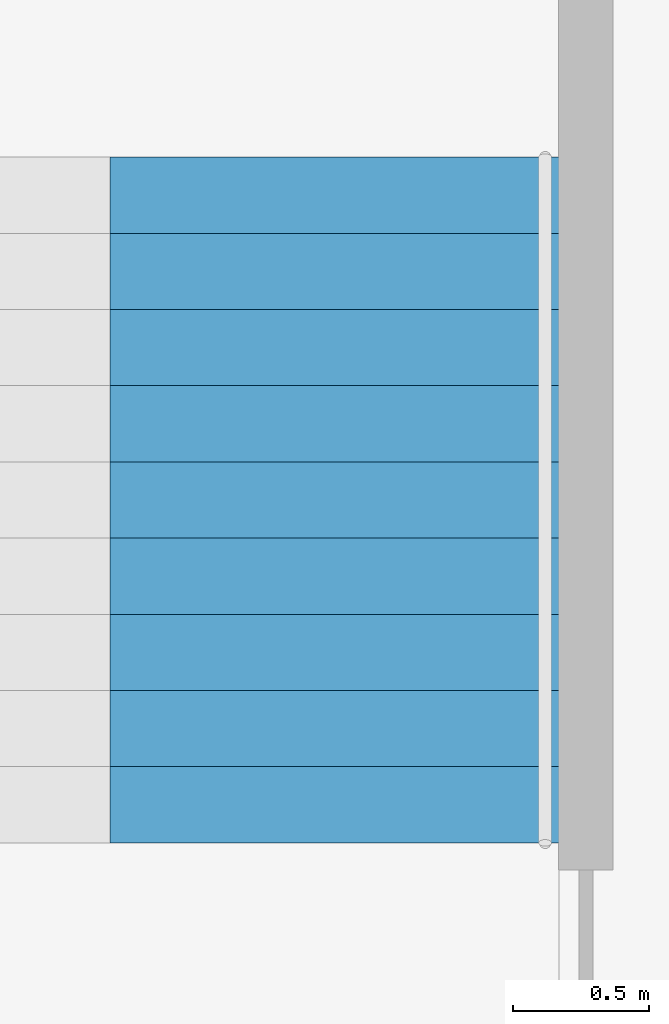
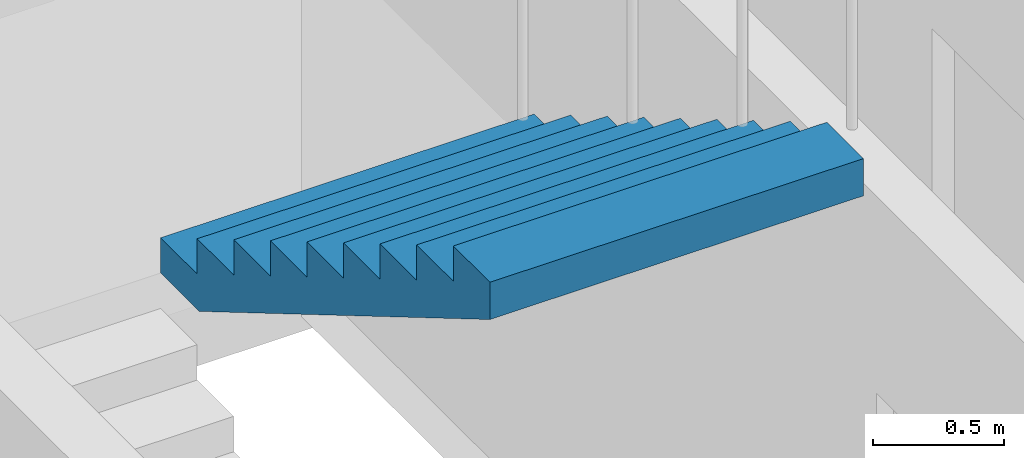
# One storey, part 9 of 12: 1 stair flight, 1 element without a shape of its own.
"""IFC4 building model written with IfcOpenShell, lengths in metres."""

import ifcopenshell
import ifcopenshell.guid

model = None  # the IFC model being written
_history = None  # IfcOwnerHistory: only IFC2X3 demands one
_inside = {}  # id of a spatial element -> (the spatial element, [elements in it])
_under = {}  # id of a project, library or spatial element -> (it, [spatial elements below it])
_declared = {}  # id of a project -> (the project, [libraries it declares])
_typed = {}  # id of a type object -> (the type object, [elements of that type])
_made_of = {}  # id of a material, layer set ... -> (it, [elements and type objects made of it])


def new_model(schema):
    """Start an empty IFC model of exactly this schema.

    Asked for "IFC4X3", IfcOpenShell would pick the latest addendum, in which some entities
    have other attributes; the version numbers below select the first issue.
    IFC2X3 requires an IfcOwnerHistory on every rooted entity: one is made here for all.
    """
    global model, _history
    if schema == "IFC4X3":
        model = ifcopenshell.file(schema_version=(4, 3, 0, 0))
    else:
        model = ifcopenshell.file(schema=schema)
    _inside.clear()
    _under.clear()
    _declared.clear()
    _typed.clear()
    _made_of.clear()
    _history = None
    if model.schema == "IFC2X3":
        org = make("IfcOrganization", Name="unknown")
        user = make(
            "IfcPersonAndOrganization",
            ThePerson=make("IfcPerson", FamilyName="unknown"),
            TheOrganization=org,
        )
        app = make(
            "IfcApplication",
            ApplicationDeveloper=org,
            Version="unknown",
            ApplicationFullName="unknown",
            ApplicationIdentifier="unknown",
        )
        _history = make(
            "IfcOwnerHistory",
            OwningUser=user,
            OwningApplication=app,
            ChangeAction="ADDED",
            CreationDate=0,
        )
    return model


def make(cls, **values):
    """One entity of the class cls with the attributes given. An attribute that is None is left unset."""
    return model.create_entity(
        cls, **{name: value for name, value in values.items() if value is not None}
    )


def rooted(cls, **values):
    """An entity with a GlobalId (a new one), such as an element, a storey or a relation."""
    return make(cls, GlobalId=ifcopenshell.guid.new(), OwnerHistory=_history, **values)


def si_unit(unit_type, name, prefix=None):
    """IfcSIUnit, for example si_unit("LENGTHUNIT", "METRE", prefix="MILLI")."""
    return make("IfcSIUnit", UnitType=unit_type, Prefix=prefix, Name=name)


def assignment(units):
    """IfcUnitAssignment: the units of a project."""
    return None if units is None else make("IfcUnitAssignment", Units=units)


def point(xyz):
    """IfcCartesianPoint."""
    return None if xyz is None else make("IfcCartesianPoint", Coordinates=xyz)


def direction(xyz):
    """IfcDirection."""
    return None if xyz is None else make("IfcDirection", DirectionRatios=xyz)


def frame(location, z_axis=None, x_axis=None):
    """IfcAxis2Placement3D, a coordinate frame: its origin and axes. An axis left out is left unset."""
    return make(
        "IfcAxis2Placement3D",
        Location=point(location),
        Axis=direction(z_axis),
        RefDirection=direction(x_axis),
    )


def origin():
    """The frame at (0, 0, 0) with its axes left unset."""
    return frame((0.0, 0.0, 0.0))


def place(relative_to, where):
    """IfcLocalPlacement: puts the frame where relative to a parent placement (None: the world)."""
    return make(
        "IfcLocalPlacement", PlacementRelTo=relative_to, RelativePlacement=where
    )


def context(
    kind, dimensions, precision=None, world=None, true_north=None, identifier=None
):
    """IfcGeometricRepresentationContext, for example the 3D "Model" context."""
    return make(
        "IfcGeometricRepresentationContext",
        ContextIdentifier=identifier,
        ContextType=kind,
        CoordinateSpaceDimension=dimensions,
        Precision=precision,
        WorldCoordinateSystem=world,
        TrueNorth=true_north,
    )


def subcontext(parent, identifier, kind, view, scale=None):
    """IfcGeometricRepresentationSubContext, for example "Body" below "Model"."""
    return make(
        "IfcGeometricRepresentationSubContext",
        ContextIdentifier=identifier,
        ContextType=kind,
        ParentContext=parent,
        TargetScale=scale,
        TargetView=view,
    )


def project(units=None, contexts=None):
    """IfcProject with its units and contexts."""
    return rooted(
        "IfcProject",
        Name="project",
        RepresentationContexts=contexts,
        UnitsInContext=assignment(units),
    )


def spatial(cls, under=None, at=None, **own):
    """A site, building, storey or space (cls), placed at a placement, below another one or the project."""
    s = rooted(cls, ObjectPlacement=at, **own)
    if under is not None:
        _under.setdefault(under.id(), (under, []))[1].append(s)
    return s


def polyline(points):
    """IfcPolyline through the points."""
    return make("IfcPolyline", Points=[point(p) for p in points])


def outline(outer, holes=None, kind="AREA"):
    """IfcArbitraryClosedProfileDef: a profile drawn as a closed curve; with holes, ...WithVoids."""
    if holes is None:
        return make("IfcArbitraryClosedProfileDef", ProfileType=kind, OuterCurve=outer)
    return make(
        "IfcArbitraryProfileDefWithVoids",
        ProfileType=kind,
        OuterCurve=outer,
        InnerCurves=holes,
    )


def extrude(swept, where, along, depth):
    """IfcExtrudedAreaSolid: the profile swept, set in the frame where, extruded along a direction by depth."""
    return make(
        "IfcExtrudedAreaSolid",
        SweptArea=swept,
        Position=where,
        ExtrudedDirection=direction(along),
        Depth=depth,
    )


def shape(context_of_items, identifier, shape_type, items):
    """IfcShapeRepresentation: the items that make up one representation, for example the "Body"."""
    return make(
        "IfcShapeRepresentation",
        ContextOfItems=context_of_items,
        RepresentationIdentifier=identifier,
        RepresentationType=shape_type,
        Items=items,
    )


def material(Name=None, Category=None):
    """IfcMaterial."""
    return make("IfcMaterial", Name=Name, Category=Category)


def made_of(thing, what):
    """Note that an element or type object is made of a material, layer set ...; save() writes the relation."""
    if what is not None:
        _made_of.setdefault(what.id(), (what, []))[1].append(thing)
    return thing


def type_object(cls, material=None, **own):
    """A type object (cls), such as IfcWallType, which elements share."""
    return made_of(rooted(cls, **own), material)


def element(
    cls,
    number,
    at=None,
    inside=None,
    cuts=None,
    type_object=None,
    material=None,
    context=None,
    identifier="Body",
    shape_type=None,
    held_by="IfcProductDefinitionShape",
    body=None,
    shapes=None,
    **own,
):
    """One element of the class cls, such as IfcWall. Its Tag is "e" and its number.

    at: its placement. inside: the storey or other place that contains it. cuts: it is an
    opening in that element (IfcRelVoidsElement). A single representation is given by context,
    identifier, shape_type and body (its items); several are given by shapes. held_by: the class
    of the entity that holds the representations. save() writes the other relations.
    """
    e = rooted(cls, Tag="e%d" % number, ObjectPlacement=at, **own)
    if body is not None:
        shapes = [shape(context, identifier, shape_type, body)]
    if shapes is not None:
        e.Representation = make(held_by, Representations=shapes)
    if inside is not None:
        _inside.setdefault(inside.id(), (inside, []))[1].append(e)
    if cuts is not None:
        rooted(
            "IfcRelVoidsElement", RelatingBuildingElement=cuts, RelatedOpeningElement=e
        )
    if type_object is not None:
        _typed.setdefault(type_object.id(), (type_object, []))[1].append(e)
    return made_of(e, material)


def aggregate(whole, parts):
    """IfcRelAggregates: a whole, such as a stair, and the parts it consists of."""
    return rooted("IfcRelAggregates", RelatingObject=whole, RelatedObjects=parts)


def save(model, path):
    """Write the relations noted so far, then the file.

    IfcRelAggregates (storeys below a building ...), IfcRelContainedInSpatialStructure (elements
    in a storey), IfcRelDefinesByType, IfcRelAssociatesMaterial and IfcRelDeclares: one each for
    every whole, place, type object, material and project.
    """
    for whole, parts in _under.values():
        aggregate(whole, parts)
    for where, things in _inside.values():
        rooted(
            "IfcRelContainedInSpatialStructure",
            RelatedElements=things,
            RelatingStructure=where,
        )
    for kind, things in _typed.values():
        rooted("IfcRelDefinesByType", RelatedObjects=things, RelatingType=kind)
    for what, things in _made_of.values():
        rooted("IfcRelAssociatesMaterial", RelatedObjects=things, RelatingMaterial=what)
    for by, libraries in _declared.values():
        rooted("IfcRelDeclares", RelatingContext=by, RelatedDefinitions=libraries)
    model.write(path)


model = new_model("IFC4")

# Units and contexts
model_context = context("Model", 3, precision=1e-05, world=origin(), true_north=direction((0.0, 1.0)))
body_context = subcontext(model_context, "Body", "Model", "MODEL_VIEW")
ifc_project = project(units=[si_unit("LENGTHUNIT", "METRE"), si_unit("AREAUNIT", "SQUARE_METRE"), si_unit("VOLUMEUNIT", "CUBIC_METRE"), si_unit("PLANEANGLEUNIT", "RADIAN"), si_unit("MASSUNIT", "GRAM", prefix="KILO")], contexts=[model_context])

# Site, building, storey
site_placement = place(None, origin())
site = spatial("IfcSite", under=ifc_project, at=site_placement, CompositionType="ELEMENT")
building_placement = place(site_placement, origin())
building = spatial("IfcBuilding", under=site, at=building_placement, Name="Taillehof Tower", CompositionType="ELEMENT")
storey_placement = place(building_placement, frame((0.0, 0.0, 236.60009765625)))
storey = spatial("IfcBuildingStorey", under=building, at=storey_placement, Name="L67", CompositionType="ELEMENT", Elevation=236.60009765625)

# Stair, stair flight
ifc_material_1 = material(Name="Concrete C40/50", Category="concrete")
stair_type = type_object("IfcStairType", Name="Exit stair half-turn", PredefinedType="HALF_TURN_STAIR", material=ifc_material_1)
stair_placement = place(storey_placement, origin())
stair = element("IfcStair", 1, at=stair_placement, inside=storey, type_object=stair_type, Name="Exit stair S3", PredefinedType="HALF_TURN_STAIR")
ifc_material_2 = material(Name="Concrete C40/50", Category="concrete")
stair_flight_type = type_object("IfcStairFlightType", Name="Stair flight 1650 riser 165.0 going 280", PredefinedType="STRAIGHT", material=ifc_material_2)
stair_flight_placement = place(storey_placement, frame((-11.77490234375, 11.969970703125, 1.64990234375), z_axis=(0.0, 0.0, 1.0), x_axis=(0.0, -1.0, 0.0)))
stair_flight = element("IfcStairFlight", 2, at=stair_flight_placement, type_object=stair_flight_type, Name="S3 flight 2", NumberOfRisers=10, NumberOfTreads=9, PredefinedType="STRAIGHT", RiserHeight=0.165, TreadLength=0.28, context=body_context, shape_type="SweptSolid", body=[
    extrude(outline(polyline([(0.0, 0.0), (0.0, 0.00537109375), (0.0, 0.0107421875), (0.0, 0.015869140625), (0.0, 0.021240234375), (0.0, 0.026611328125), (0.0, 0.031982421875), (0.0, 0.037353515625), (0.0, 0.04248046875), (0.0, 0.0478515625), (0.0, 0.05322265625), (0.0, 0.05859375), (0.0, 0.06396484375), (0.0, 0.069091796875), (0.0, 0.074462890625), (0.0, 0.079833984375), (0.0, 0.085205078125), (0.0, 0.090576171875), (0.0, 0.095703125), (0.0, 0.10107421875), (0.0, 0.1064453125), (0.0, 0.11181640625), (0.0, 0.1171875), (0.0, 0.122314453125), (0.0, 0.127685546875), (0.0, 0.133056640625), (0.0, 0.138427734375), (0.0, 0.143798828125), (0.0, 0.14892578125), (0.0, 0.154296875), (0.0, 0.15966796875), (0.0, 0.1650390625), (0.280029296875, 0.1650390625), (0.280029296875, 0.330078125), (0.56005859375, 0.330078125), (0.56005859375, 0.4951171875), (0.840087890625, 0.4951171875), (0.840087890625, 0.659912109375), (1.1201171875, 0.659912109375), (1.1201171875, 0.824951171875), (1.39990234375, 0.824951171875), (1.39990234375, 0.989990234375), (1.679931640625, 0.989990234375), (1.679931640625, 1.155029296875), (1.9599609375, 1.155029296875), (1.9599609375, 1.320068359375), (2.239990234375, 1.320068359375), (2.239990234375, 1.485107421875), (2.52001953125, 1.485107421875), (2.52001953125, 1.4794921875), (2.52001953125, 1.473876953125), (2.52001953125, 1.46826171875), (2.52001953125, 1.462646484375), (2.52001953125, 1.45703125), (2.52001953125, 1.451416015625), (2.52001953125, 1.44580078125), (2.52001953125, 1.440185546875), (2.52001953125, 1.4345703125), (2.52001953125, 1.428955078125), (2.52001953125, 1.42333984375), (2.52001953125, 1.417724609375), (2.52001953125, 1.412109375), (2.52001953125, 1.406494140625), (2.52001953125, 1.40087890625), (2.52001953125, 1.395263671875), (2.52001953125, 1.3896484375), (2.52001953125, 1.384033203125), (2.52001953125, 1.37841796875), (2.52001953125, 1.372802734375), (2.52001953125, 1.3671875), (2.52001953125, 1.361572265625), (2.52001953125, 1.35595703125), (2.52001953125, 1.350341796875), (2.52001953125, 1.3447265625), (2.52001953125, 1.339111328125), (2.52001953125, 1.33349609375), (2.52001953125, 1.327880859375), (2.52001953125, 1.322265625), (2.52001953125, 1.316650390625), (2.52001953125, 1.31103515625), (0.295166015625, 0.0), (0.0, 0.0)])), frame((0.0, 0.824951171875, 0.0), z_axis=(0.0, -1.0, 0.0), x_axis=(1.0, 0.0, 0.0)), (0.0, 0.0, 1.0), 1.65),
])
aggregate(stair, [stair_flight])

save(model, "model.ifc")
